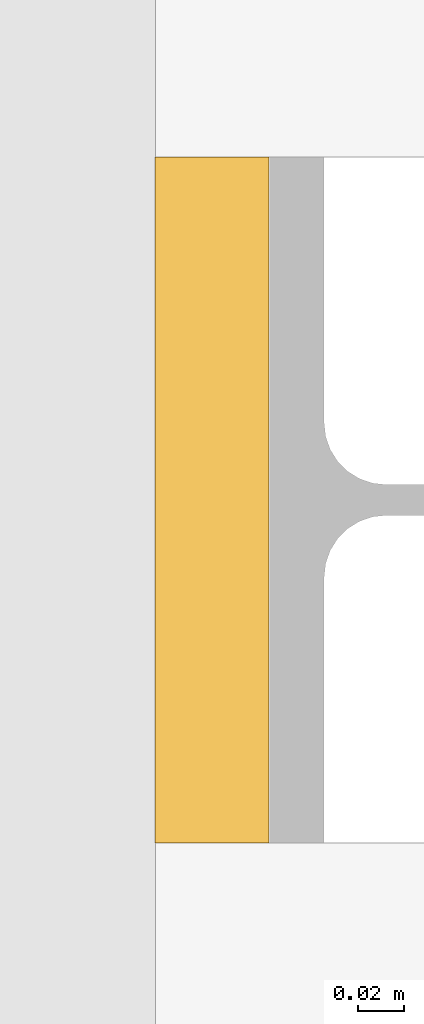
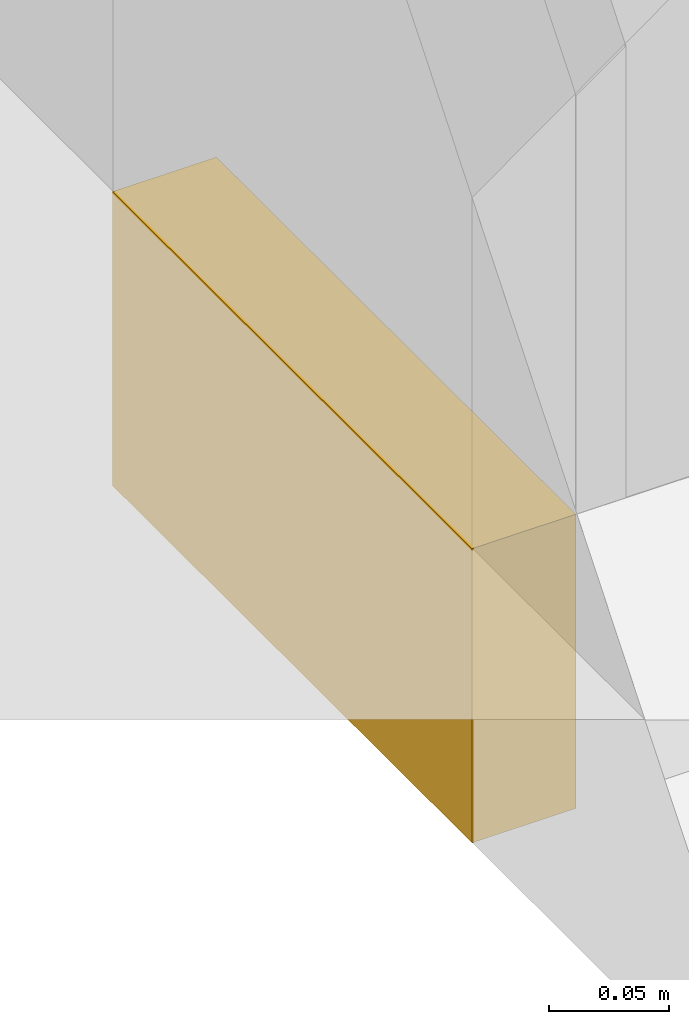
# One storey, part 54 of 57: 1 covering.
"""IFC4 building model written with IfcOpenShell, lengths in metres."""

from ifc_helpers import new_model, si_unit, direction, frame, origin, origin_2d, place, context, subcontext, project, spatial, rectangle, extrude, material, layer, layer_set, type_object, element, save


model = new_model("IFC4")

# Units and contexts
model_context = context("Model", 3, precision=1e-05, world=origin(), true_north=direction((0.0, 1.0)))
body_context = subcontext(model_context, "Body", "Model", "MODEL_VIEW")
ifc_project = project(units=[si_unit("LENGTHUNIT", "METRE"), si_unit("AREAUNIT", "SQUARE_METRE"), si_unit("VOLUMEUNIT", "CUBIC_METRE"), si_unit("PLANEANGLEUNIT", "RADIAN"), si_unit("MASSUNIT", "GRAM", prefix="KILO")], contexts=[model_context])

# Site, building, storey
site_placement = place(None, origin())
site = spatial("IfcSite", under=ifc_project, at=site_placement, CompositionType="ELEMENT")
building_placement = place(site_placement, origin())
building = spatial("IfcBuilding", under=site, at=building_placement, Name="Galleria Vessillo Department Store", CompositionType="ELEMENT")
storey_placement = place(building_placement, frame((0.0, 0.0, 21.0)))
storey = spatial("IfcBuildingStorey", under=building, at=storey_placement, Name="L04", CompositionType="ELEMENT", Elevation=21.0)

# Covering
ifc_material = material(Name="Botticino limestone ashlar", Category="masonry")
ifc_layer = layer(ifc_material, 0.14990234375)
ifc_layer_set = layer_set([ifc_layer], Name="Botticino limestone ashlar")
covering_type = type_object("IfcCoveringType", Name="Limestone slab-edge fascia 150 mm", PredefinedType="CLADDING", material=ifc_layer_set)
covering_placement = place(storey_placement, frame((-0.22509765625, 54.60009765625, -0.14990234375), z_axis=(0.0, 0.0, 1.0), x_axis=(1.0, 0.0, 0.0)))
element("IfcCovering", 1, at=covering_placement, inside=storey, type_object=covering_type, Name="Joint block Slab-edge fascia SW-L03-06", PredefinedType="CLADDING", context=body_context, shape_type="SweptSolid", body=[
    extrude(rectangle(XDim=0.050048828125, YDim=0.300048828125, at=origin_2d()), origin(), (0.0, 0.0, 1.0), 0.14990234375),
])

save(model, "model.ifc")
